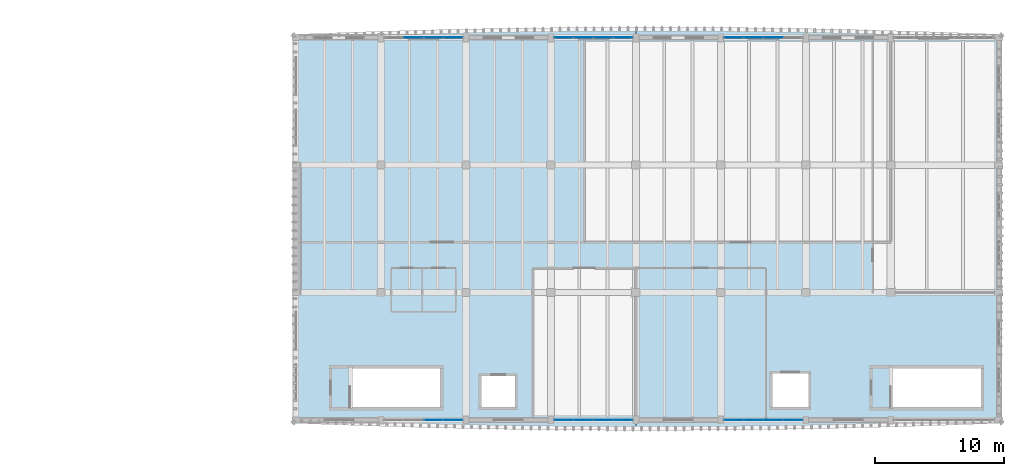
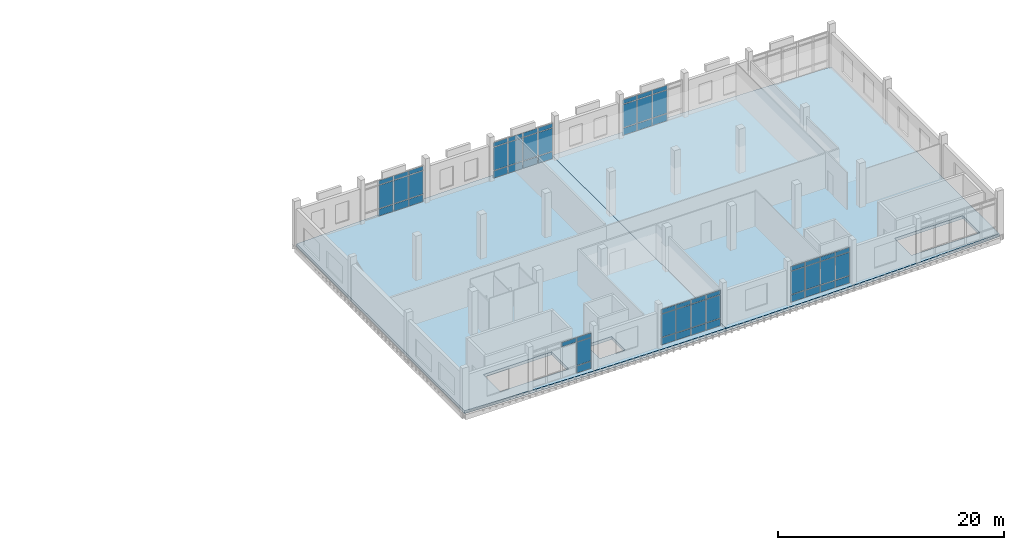
# One storey, part 16 of 37: 58 plates, 2 slabs, 6 elements without a shape of their own.
"""IFC4 building model written with IfcOpenShell, lengths in metres."""

from ifc_helpers import new_model, si_unit, direction, frame, origin, origin_2d, place, context, subcontext, project, spatial, polyline, rectangle, outline, extrude, material, layer, layer_set, type_object, element, aggregate, save


model = new_model("IFC4")

# Units and contexts
model_context = context("Model", 3, precision=1e-05, world=origin(), true_north=direction((0.0, 1.0)))
body_context = subcontext(model_context, "Body", "Model", "MODEL_VIEW")
ifc_project = project(units=[si_unit("LENGTHUNIT", "METRE"), si_unit("AREAUNIT", "SQUARE_METRE"), si_unit("VOLUMEUNIT", "CUBIC_METRE"), si_unit("PLANEANGLEUNIT", "RADIAN"), si_unit("MASSUNIT", "GRAM", prefix="KILO")], contexts=[model_context])

# Site, building, storey
site_placement = place(None, origin())
site = spatial("IfcSite", under=ifc_project, at=site_placement, CompositionType="ELEMENT")
building_placement = place(site_placement, origin())
building = spatial("IfcBuilding", under=site, at=building_placement, Name="Dornvale Research Institute", CompositionType="ELEMENT")
storey_placement = place(building_placement, frame((0.0, 0.0, 29.39990234375)))
storey = spatial("IfcBuildingStorey", under=building, at=storey_placement, Name="L06", CompositionType="ELEMENT", Elevation=29.39990234375)

# Curtain wall, plates
ifc_material_1 = material(Name="Low-E Argon Double Insulating Glazing Unit", Category="glass")
curtain_wall_type = type_object("IfcCurtainWallType", Name="UnitisedCurtainWall_V4_6150x3950", PredefinedType="USERDEFINED", material=ifc_material_1)
curtain_wall_1_placement = place(storey_placement, origin())
curtain_wall_1 = element("IfcCurtainWall", 1, at=curtain_wall_1_placement, inside=storey, type_object=curtain_wall_type, Name="L06 V4 unitised curtain wall CW-15 #117", ObjectType="UNITISED CURTAIN WALL", PredefinedType="USERDEFINED")
ifc_material_2 = material(Name="Insulated Ceramic-Frit Spandrel Glass Panel", Category="glass")
ifc_layer_1 = layer(ifc_material_2, 0.0419921875)
ifc_layer_set_1 = layer_set([ifc_layer_1], Name="Insulated Ceramic-Frit Spandrel Glass Panel")
plate_type_1 = type_object("IfcPlateType", Name="CurtainPanel_Spandrel_42", PredefinedType="CURTAIN_PANEL", material=ifc_layer_set_1)
plate_1_placement = place(storey_placement, frame((127.93115234375, 122.10009765625, 0.065185546875), z_axis=(0.0, 0.0, 1.0), x_axis=(1.0, 0.0, 0.0)))
plate_1 = element("IfcPlate", 2, at=plate_1_placement, type_object=plate_type_1, Name="CW-15 panel 2.1", PredefinedType="CURTAIN_PANEL", context=body_context, shape_type="SweptSolid", body=[
    extrude(rectangle(XDim=1.472412109375, YDim=0.0419921875, at=origin_2d()), origin(), (0.0, 0.0, 1.0), 0.75244140625),
])
plate_2_placement = place(storey_placement, frame((129.46875, 122.10009765625, 0.065185546875), z_axis=(0.0, 0.0, 1.0), x_axis=(1.0, 0.0, 0.0)))
plate_2 = element("IfcPlate", 3, at=plate_2_placement, type_object=plate_type_1, Name="CW-15 panel 3.1", PredefinedType="CURTAIN_PANEL", context=body_context, shape_type="SweptSolid", body=[
    extrude(rectangle(XDim=1.472412109375, YDim=0.0419921875, at=origin_2d()), origin(), (0.0, 0.0, 1.0), 0.75244140625),
])
plate_3_placement = place(storey_placement, frame((130.989990234375, 122.10009765625, 0.065185546875), z_axis=(0.0, 0.0, 1.0), x_axis=(1.0, 0.0, 0.0)))
plate_3 = element("IfcPlate", 4, at=plate_3_placement, type_object=plate_type_1, Name="CW-15 panel 4.1", PredefinedType="CURTAIN_PANEL", context=body_context, shape_type="SweptSolid", body=[
    extrude(rectangle(XDim=1.43994140625, YDim=0.0419921875, at=origin_2d()), origin(), (0.0, 0.0, 1.0), 0.75244140625),
])

curtain_wall_2_placement = place(storey_placement, origin())
curtain_wall_2 = element("IfcCurtainWall", 5, at=curtain_wall_2_placement, inside=storey, type_object=curtain_wall_type, Name="L06 V4 unitised curtain wall CW-15 #118", ObjectType="UNITISED CURTAIN WALL", PredefinedType="USERDEFINED")
plate_4_placement = place(storey_placement, frame((139.610107421875, 122.10009765625, 0.065185546875), z_axis=(0.0, 0.0, 1.0), x_axis=(1.0, 0.0, 0.0)))
plate_4 = element("IfcPlate", 6, at=plate_4_placement, type_object=plate_type_1, Name="CW-15 panel 1.1", PredefinedType="CURTAIN_PANEL", context=body_context, shape_type="SweptSolid", body=[
    extrude(rectangle(XDim=1.43994140625, YDim=0.0419921875, at=origin_2d()), origin(), (0.0, 0.0, 1.0), 0.75244140625),
])
plate_5_placement = place(storey_placement, frame((141.13134765625, 122.10009765625, 0.065185546875), z_axis=(0.0, 0.0, 1.0), x_axis=(1.0, 0.0, 0.0)))
plate_5 = element("IfcPlate", 7, at=plate_5_placement, type_object=plate_type_1, Name="CW-15 panel 2.1", PredefinedType="CURTAIN_PANEL", context=body_context, shape_type="SweptSolid", body=[
    extrude(rectangle(XDim=1.472412109375, YDim=0.0419921875, at=origin_2d()), origin(), (0.0, 0.0, 1.0), 0.75244140625),
])
plate_6_placement = place(storey_placement, frame((142.668701171875, 122.10009765625, 0.065185546875), z_axis=(0.0, 0.0, 1.0), x_axis=(1.0, 0.0, 0.0)))
plate_6 = element("IfcPlate", 8, at=plate_6_placement, type_object=plate_type_1, Name="CW-15 panel 3.1", PredefinedType="CURTAIN_PANEL", context=body_context, shape_type="SweptSolid", body=[
    extrude(rectangle(XDim=1.472412109375, YDim=0.0419921875, at=origin_2d()), origin(), (0.0, 0.0, 1.0), 0.75244140625),
])
plate_7_placement = place(storey_placement, frame((144.18994140625, 122.10009765625, 0.065185546875), z_axis=(0.0, 0.0, 1.0), x_axis=(1.0, 0.0, 0.0)))
plate_7 = element("IfcPlate", 9, at=plate_7_placement, type_object=plate_type_1, Name="CW-15 panel 4.1", PredefinedType="CURTAIN_PANEL", context=body_context, shape_type="SweptSolid", body=[
    extrude(rectangle(XDim=1.43994140625, YDim=0.0419921875, at=origin_2d()), origin(), (0.0, 0.0, 1.0), 0.75244140625),
])

curtain_wall_3_placement = place(storey_placement, origin())
curtain_wall_3 = element("IfcCurtainWall", 10, at=curtain_wall_3_placement, inside=storey, type_object=curtain_wall_type, Name="L06 V4 unitised curtain wall CW-15 #119", ObjectType="UNITISED CURTAIN WALL", PredefinedType="USERDEFINED")
plate_8_placement = place(storey_placement, frame((152.81005859375, 122.10009765625, 0.065185546875), z_axis=(0.0, 0.0, 1.0), x_axis=(1.0, 0.0, 0.0)))
plate_8 = element("IfcPlate", 11, at=plate_8_placement, type_object=plate_type_1, Name="CW-15 panel 1.1", PredefinedType="CURTAIN_PANEL", context=body_context, shape_type="SweptSolid", body=[
    extrude(rectangle(XDim=1.43994140625, YDim=0.0419921875, at=origin_2d()), origin(), (0.0, 0.0, 1.0), 0.75244140625),
])
plate_9_placement = place(storey_placement, frame((154.331298828125, 122.10009765625, 0.065185546875), z_axis=(0.0, 0.0, 1.0), x_axis=(1.0, 0.0, 0.0)))
plate_9 = element("IfcPlate", 12, at=plate_9_placement, type_object=plate_type_1, Name="CW-15 panel 2.1", PredefinedType="CURTAIN_PANEL", context=body_context, shape_type="SweptSolid", body=[
    extrude(rectangle(XDim=1.472412109375, YDim=0.0419921875, at=origin_2d()), origin(), (0.0, 0.0, 1.0), 0.75244140625),
])
plate_10_placement = place(storey_placement, frame((155.86865234375, 122.10009765625, 0.065185546875), z_axis=(0.0, 0.0, 1.0), x_axis=(1.0, 0.0, 0.0)))
plate_10 = element("IfcPlate", 13, at=plate_10_placement, type_object=plate_type_1, Name="CW-15 panel 3.1", PredefinedType="CURTAIN_PANEL", context=body_context, shape_type="SweptSolid", body=[
    extrude(rectangle(XDim=1.472412109375, YDim=0.0419921875, at=origin_2d()), origin(), (0.0, 0.0, 1.0), 0.75244140625),
])

curtain_wall_4_placement = place(storey_placement, origin())
curtain_wall_4 = element("IfcCurtainWall", 14, at=curtain_wall_4_placement, inside=storey, type_object=curtain_wall_type, Name="L06 V4 unitised curtain wall CW-15 #122", ObjectType="UNITISED CURTAIN WALL", PredefinedType="USERDEFINED")
plate_11_placement = place(storey_placement, frame((157.389892578125, 92.39990234375, 0.065185546875), z_axis=(0.0, 0.0, 1.0), x_axis=(-1.0, 0.0, 0.0)))
plate_11 = element("IfcPlate", 15, at=plate_11_placement, type_object=plate_type_1, Name="CW-15 panel 1.1", PredefinedType="CURTAIN_PANEL", context=body_context, shape_type="SweptSolid", body=[
    extrude(rectangle(XDim=1.43994140625, YDim=0.0419921875, at=origin_2d()), origin(), (0.0, 0.0, 1.0), 0.75244140625),
])
plate_12_placement = place(storey_placement, frame((155.86865234375, 92.39990234375, 0.065185546875), z_axis=(0.0, 0.0, 1.0), x_axis=(-1.0, 0.0, 0.0)))
plate_12 = element("IfcPlate", 16, at=plate_12_placement, type_object=plate_type_1, Name="CW-15 panel 2.1", PredefinedType="CURTAIN_PANEL", context=body_context, shape_type="SweptSolid", body=[
    extrude(rectangle(XDim=1.472412109375, YDim=0.0419921875, at=origin_2d()), origin(), (0.0, 0.0, 1.0), 0.75244140625),
])
plate_13_placement = place(storey_placement, frame((154.331298828125, 92.39990234375, 0.065185546875), z_axis=(0.0, 0.0, 1.0), x_axis=(-1.0, 0.0, 0.0)))
plate_13 = element("IfcPlate", 17, at=plate_13_placement, type_object=plate_type_1, Name="CW-15 panel 3.1", PredefinedType="CURTAIN_PANEL", context=body_context, shape_type="SweptSolid", body=[
    extrude(rectangle(XDim=1.472412109375, YDim=0.0419921875, at=origin_2d()), origin(), (0.0, 0.0, 1.0), 0.75244140625),
])
plate_14_placement = place(storey_placement, frame((152.81005859375, 92.39990234375, 0.065185546875), z_axis=(0.0, 0.0, 1.0), x_axis=(-1.0, 0.0, 0.0)))
plate_14 = element("IfcPlate", 18, at=plate_14_placement, type_object=plate_type_1, Name="CW-15 panel 4.1", PredefinedType="CURTAIN_PANEL", context=body_context, shape_type="SweptSolid", body=[
    extrude(rectangle(XDim=1.43994140625, YDim=0.0419921875, at=origin_2d()), origin(), (0.0, 0.0, 1.0), 0.75244140625),
])

curtain_wall_5_placement = place(storey_placement, origin())
curtain_wall_5 = element("IfcCurtainWall", 19, at=curtain_wall_5_placement, inside=storey, type_object=curtain_wall_type, Name="L06 V4 unitised curtain wall CW-15 #123", ObjectType="UNITISED CURTAIN WALL", PredefinedType="USERDEFINED")
plate_15_placement = place(storey_placement, frame((144.18994140625, 92.39990234375, 0.065185546875), z_axis=(0.0, 0.0, 1.0), x_axis=(-1.0, 0.0, 0.0)))
plate_15 = element("IfcPlate", 20, at=plate_15_placement, type_object=plate_type_1, Name="CW-15 panel 1.1", PredefinedType="CURTAIN_PANEL", context=body_context, shape_type="SweptSolid", body=[
    extrude(rectangle(XDim=1.43994140625, YDim=0.0419921875, at=origin_2d()), origin(), (0.0, 0.0, 1.0), 0.75244140625),
])
plate_16_placement = place(storey_placement, frame((142.668701171875, 92.39990234375, 0.065185546875), z_axis=(0.0, 0.0, 1.0), x_axis=(-1.0, 0.0, 0.0)))
plate_16 = element("IfcPlate", 21, at=plate_16_placement, type_object=plate_type_1, Name="CW-15 panel 2.1", PredefinedType="CURTAIN_PANEL", context=body_context, shape_type="SweptSolid", body=[
    extrude(rectangle(XDim=1.472412109375, YDim=0.0419921875, at=origin_2d()), origin(), (0.0, 0.0, 1.0), 0.75244140625),
])
plate_17_placement = place(storey_placement, frame((141.13134765625, 92.39990234375, 0.065185546875), z_axis=(0.0, 0.0, 1.0), x_axis=(-1.0, 0.0, 0.0)))
plate_17 = element("IfcPlate", 22, at=plate_17_placement, type_object=plate_type_1, Name="CW-15 panel 3.1", PredefinedType="CURTAIN_PANEL", context=body_context, shape_type="SweptSolid", body=[
    extrude(rectangle(XDim=1.472412109375, YDim=0.0419921875, at=origin_2d()), origin(), (0.0, 0.0, 1.0), 0.75244140625),
])
plate_18_placement = place(storey_placement, frame((139.610107421875, 92.39990234375, 0.065185546875), z_axis=(0.0, 0.0, 1.0), x_axis=(-1.0, 0.0, 0.0)))
plate_18 = element("IfcPlate", 23, at=plate_18_placement, type_object=plate_type_1, Name="CW-15 panel 4.1", PredefinedType="CURTAIN_PANEL", context=body_context, shape_type="SweptSolid", body=[
    extrude(rectangle(XDim=1.43994140625, YDim=0.0419921875, at=origin_2d()), origin(), (0.0, 0.0, 1.0), 0.75244140625),
])

# Curtain wall, plate
curtain_wall_6_placement = place(storey_placement, origin())
curtain_wall_6 = element("IfcCurtainWall", 24, at=curtain_wall_6_placement, inside=storey, type_object=curtain_wall_type, Name="L06 V4 unitised curtain wall CW-15 #124", ObjectType="UNITISED CURTAIN WALL", PredefinedType="USERDEFINED")
plate_19_placement = place(storey_placement, frame((130.989990234375, 92.39990234375, 0.065185546875), z_axis=(0.0, 0.0, 1.0), x_axis=(-1.0, 0.0, 0.0)))
plate_19 = element("IfcPlate", 25, at=plate_19_placement, type_object=plate_type_1, Name="CW-15 panel 1.1", PredefinedType="CURTAIN_PANEL", context=body_context, shape_type="SweptSolid", body=[
    extrude(rectangle(XDim=1.43994140625, YDim=0.0419921875, at=origin_2d()), origin(), (0.0, 0.0, 1.0), 0.75244140625),
])

# Plate
ifc_material_3 = material(Name="Low-E Argon Double Insulating Glazing Unit", Category="glass")
ifc_layer_2 = layer(ifc_material_3, 0.028076171875)
ifc_layer_set_2 = layer_set([ifc_layer_2], Name="Low-E Argon Double Insulating Glazing Unit")
plate_type_2 = type_object("IfcPlateType", Name="CurtainPanel_Vision_28", PredefinedType="CURTAIN_PANEL", material=ifc_layer_set_2)
plate_20_placement = place(storey_placement, frame((127.93115234375, 122.10009765625, 0.88232421875), z_axis=(0.0, 0.0, 1.0), x_axis=(1.0, 0.0, 0.0)))
plate_20 = element("IfcPlate", 26, at=plate_20_placement, type_object=plate_type_2, Name="CW-15 panel 2.2", PredefinedType="CURTAIN_PANEL", context=body_context, shape_type="SweptSolid", body=[
    extrude(rectangle(XDim=1.472412109375, YDim=0.028076171875, at=origin_2d()), origin(), (0.0, 0.0, 1.0), 2.485107421875),
])

plate_21_placement = place(storey_placement, frame((127.93115234375, 122.10009765625, 3.4326171875), z_axis=(0.0, 0.0, 1.0), x_axis=(1.0, 0.0, 0.0)))
plate_21 = element("IfcPlate", 27, at=plate_21_placement, type_object=plate_type_2, Name="CW-15 panel 2.3", PredefinedType="CURTAIN_PANEL", context=body_context, shape_type="SweptSolid", body=[
    extrude(rectangle(XDim=1.472412109375, YDim=0.028076171875, at=origin_2d()), origin(), (0.0, 0.0, 1.0), 0.452392578125),
])

plate_22_placement = place(storey_placement, frame((129.46875, 122.10009765625, 0.88232421875), z_axis=(0.0, 0.0, 1.0), x_axis=(1.0, 0.0, 0.0)))
plate_22 = element("IfcPlate", 28, at=plate_22_placement, type_object=plate_type_2, Name="CW-15 panel 3.2", PredefinedType="CURTAIN_PANEL", context=body_context, shape_type="SweptSolid", body=[
    extrude(rectangle(XDim=1.472412109375, YDim=0.028076171875, at=origin_2d()), origin(), (0.0, 0.0, 1.0), 2.485107421875),
])

plate_23_placement = place(storey_placement, frame((129.46875, 122.10009765625, 3.4326171875), z_axis=(0.0, 0.0, 1.0), x_axis=(1.0, 0.0, 0.0)))
plate_23 = element("IfcPlate", 29, at=plate_23_placement, type_object=plate_type_2, Name="CW-15 panel 3.3", PredefinedType="CURTAIN_PANEL", context=body_context, shape_type="SweptSolid", body=[
    extrude(rectangle(XDim=1.472412109375, YDim=0.028076171875, at=origin_2d()), origin(), (0.0, 0.0, 1.0), 0.452392578125),
])

plate_24_placement = place(storey_placement, frame((130.989990234375, 122.10009765625, 0.88232421875), z_axis=(0.0, 0.0, 1.0), x_axis=(1.0, 0.0, 0.0)))
plate_24 = element("IfcPlate", 30, at=plate_24_placement, type_object=plate_type_2, Name="CW-15 panel 4.2", PredefinedType="CURTAIN_PANEL", context=body_context, shape_type="SweptSolid", body=[
    extrude(rectangle(XDim=1.43994140625, YDim=0.028076171875, at=origin_2d()), origin(), (0.0, 0.0, 1.0), 2.485107421875),
])

plate_25_placement = place(storey_placement, frame((130.989990234375, 122.10009765625, 3.4326171875), z_axis=(0.0, 0.0, 1.0), x_axis=(1.0, 0.0, 0.0)))
plate_25 = element("IfcPlate", 31, at=plate_25_placement, type_object=plate_type_2, Name="CW-15 panel 4.3", PredefinedType="CURTAIN_PANEL", context=body_context, shape_type="SweptSolid", body=[
    extrude(rectangle(XDim=1.43994140625, YDim=0.028076171875, at=origin_2d()), origin(), (0.0, 0.0, 1.0), 0.452392578125),
])

aggregate(curtain_wall_1, [plate_1, plate_20, plate_21, plate_2, plate_22, plate_23, plate_3, plate_24, plate_25])

plate_26_placement = place(storey_placement, frame((139.610107421875, 122.10009765625, 0.88232421875), z_axis=(0.0, 0.0, 1.0), x_axis=(1.0, 0.0, 0.0)))
plate_26 = element("IfcPlate", 32, at=plate_26_placement, type_object=plate_type_2, Name="CW-15 panel 1.2", PredefinedType="CURTAIN_PANEL", context=body_context, shape_type="SweptSolid", body=[
    extrude(rectangle(XDim=1.43994140625, YDim=0.028076171875, at=origin_2d()), origin(), (0.0, 0.0, 1.0), 2.485107421875),
])

plate_27_placement = place(storey_placement, frame((139.610107421875, 122.10009765625, 3.4326171875), z_axis=(0.0, 0.0, 1.0), x_axis=(1.0, 0.0, 0.0)))
plate_27 = element("IfcPlate", 33, at=plate_27_placement, type_object=plate_type_2, Name="CW-15 panel 1.3", PredefinedType="CURTAIN_PANEL", context=body_context, shape_type="SweptSolid", body=[
    extrude(rectangle(XDim=1.43994140625, YDim=0.028076171875, at=origin_2d()), origin(), (0.0, 0.0, 1.0), 0.452392578125),
])

plate_28_placement = place(storey_placement, frame((141.13134765625, 122.10009765625, 0.88232421875), z_axis=(0.0, 0.0, 1.0), x_axis=(1.0, 0.0, 0.0)))
plate_28 = element("IfcPlate", 34, at=plate_28_placement, type_object=plate_type_2, Name="CW-15 panel 2.2", PredefinedType="CURTAIN_PANEL", context=body_context, shape_type="SweptSolid", body=[
    extrude(rectangle(XDim=1.472412109375, YDim=0.028076171875, at=origin_2d()), origin(), (0.0, 0.0, 1.0), 2.485107421875),
])

plate_29_placement = place(storey_placement, frame((141.13134765625, 122.10009765625, 3.4326171875), z_axis=(0.0, 0.0, 1.0), x_axis=(1.0, 0.0, 0.0)))
plate_29 = element("IfcPlate", 35, at=plate_29_placement, type_object=plate_type_2, Name="CW-15 panel 2.3", PredefinedType="CURTAIN_PANEL", context=body_context, shape_type="SweptSolid", body=[
    extrude(rectangle(XDim=1.472412109375, YDim=0.028076171875, at=origin_2d()), origin(), (0.0, 0.0, 1.0), 0.452392578125),
])

plate_30_placement = place(storey_placement, frame((142.668701171875, 122.10009765625, 0.88232421875), z_axis=(0.0, 0.0, 1.0), x_axis=(1.0, 0.0, 0.0)))
plate_30 = element("IfcPlate", 36, at=plate_30_placement, type_object=plate_type_2, Name="CW-15 panel 3.2", PredefinedType="CURTAIN_PANEL", context=body_context, shape_type="SweptSolid", body=[
    extrude(rectangle(XDim=1.472412109375, YDim=0.028076171875, at=origin_2d()), origin(), (0.0, 0.0, 1.0), 2.485107421875),
])

plate_31_placement = place(storey_placement, frame((142.668701171875, 122.10009765625, 3.4326171875), z_axis=(0.0, 0.0, 1.0), x_axis=(1.0, 0.0, 0.0)))
plate_31 = element("IfcPlate", 37, at=plate_31_placement, type_object=plate_type_2, Name="CW-15 panel 3.3", PredefinedType="CURTAIN_PANEL", context=body_context, shape_type="SweptSolid", body=[
    extrude(rectangle(XDim=1.472412109375, YDim=0.028076171875, at=origin_2d()), origin(), (0.0, 0.0, 1.0), 0.452392578125),
])

plate_32_placement = place(storey_placement, frame((144.18994140625, 122.10009765625, 0.88232421875), z_axis=(0.0, 0.0, 1.0), x_axis=(1.0, 0.0, 0.0)))
plate_32 = element("IfcPlate", 38, at=plate_32_placement, type_object=plate_type_2, Name="CW-15 panel 4.2", PredefinedType="CURTAIN_PANEL", context=body_context, shape_type="SweptSolid", body=[
    extrude(rectangle(XDim=1.43994140625, YDim=0.028076171875, at=origin_2d()), origin(), (0.0, 0.0, 1.0), 2.485107421875),
])

plate_33_placement = place(storey_placement, frame((144.18994140625, 122.10009765625, 3.4326171875), z_axis=(0.0, 0.0, 1.0), x_axis=(1.0, 0.0, 0.0)))
plate_33 = element("IfcPlate", 39, at=plate_33_placement, type_object=plate_type_2, Name="CW-15 panel 4.3", PredefinedType="CURTAIN_PANEL", context=body_context, shape_type="SweptSolid", body=[
    extrude(rectangle(XDim=1.43994140625, YDim=0.028076171875, at=origin_2d()), origin(), (0.0, 0.0, 1.0), 0.452392578125),
])

aggregate(curtain_wall_2, [plate_4, plate_26, plate_27, plate_5, plate_28, plate_29, plate_6, plate_30, plate_31, plate_7, plate_32, plate_33])

plate_34_placement = place(storey_placement, frame((152.81005859375, 122.10009765625, 0.88232421875), z_axis=(0.0, 0.0, 1.0), x_axis=(1.0, 0.0, 0.0)))
plate_34 = element("IfcPlate", 40, at=plate_34_placement, type_object=plate_type_2, Name="CW-15 panel 1.2", PredefinedType="CURTAIN_PANEL", context=body_context, shape_type="SweptSolid", body=[
    extrude(rectangle(XDim=1.43994140625, YDim=0.028076171875, at=origin_2d()), origin(), (0.0, 0.0, 1.0), 2.485107421875),
])

plate_35_placement = place(storey_placement, frame((152.81005859375, 122.10009765625, 3.4326171875), z_axis=(0.0, 0.0, 1.0), x_axis=(1.0, 0.0, 0.0)))
plate_35 = element("IfcPlate", 41, at=plate_35_placement, type_object=plate_type_2, Name="CW-15 panel 1.3", PredefinedType="CURTAIN_PANEL", context=body_context, shape_type="SweptSolid", body=[
    extrude(rectangle(XDim=1.43994140625, YDim=0.028076171875, at=origin_2d()), origin(), (0.0, 0.0, 1.0), 0.452392578125),
])

plate_36_placement = place(storey_placement, frame((154.331298828125, 122.10009765625, 0.88232421875), z_axis=(0.0, 0.0, 1.0), x_axis=(1.0, 0.0, 0.0)))
plate_36 = element("IfcPlate", 42, at=plate_36_placement, type_object=plate_type_2, Name="CW-15 panel 2.2", PredefinedType="CURTAIN_PANEL", context=body_context, shape_type="SweptSolid", body=[
    extrude(rectangle(XDim=1.472412109375, YDim=0.028076171875, at=origin_2d()), origin(), (0.0, 0.0, 1.0), 2.485107421875),
])

plate_37_placement = place(storey_placement, frame((154.331298828125, 122.10009765625, 3.4326171875), z_axis=(0.0, 0.0, 1.0), x_axis=(1.0, 0.0, 0.0)))
plate_37 = element("IfcPlate", 43, at=plate_37_placement, type_object=plate_type_2, Name="CW-15 panel 2.3", PredefinedType="CURTAIN_PANEL", context=body_context, shape_type="SweptSolid", body=[
    extrude(rectangle(XDim=1.472412109375, YDim=0.028076171875, at=origin_2d()), origin(), (0.0, 0.0, 1.0), 0.452392578125),
])

plate_38_placement = place(storey_placement, frame((155.86865234375, 122.10009765625, 0.88232421875), z_axis=(0.0, 0.0, 1.0), x_axis=(1.0, 0.0, 0.0)))
plate_38 = element("IfcPlate", 44, at=plate_38_placement, type_object=plate_type_2, Name="CW-15 panel 3.2", PredefinedType="CURTAIN_PANEL", context=body_context, shape_type="SweptSolid", body=[
    extrude(rectangle(XDim=1.472412109375, YDim=0.028076171875, at=origin_2d()), origin(), (0.0, 0.0, 1.0), 2.485107421875),
])

plate_39_placement = place(storey_placement, frame((155.86865234375, 122.10009765625, 3.4326171875), z_axis=(0.0, 0.0, 1.0), x_axis=(1.0, 0.0, 0.0)))
plate_39 = element("IfcPlate", 45, at=plate_39_placement, type_object=plate_type_2, Name="CW-15 panel 3.3", PredefinedType="CURTAIN_PANEL", context=body_context, shape_type="SweptSolid", body=[
    extrude(rectangle(XDim=1.472412109375, YDim=0.028076171875, at=origin_2d()), origin(), (0.0, 0.0, 1.0), 0.452392578125),
])

aggregate(curtain_wall_3, [plate_8, plate_34, plate_35, plate_9, plate_36, plate_37, plate_10, plate_38, plate_39])

plate_40_placement = place(storey_placement, frame((157.389892578125, 92.39990234375, 0.88232421875), z_axis=(0.0, 0.0, 1.0), x_axis=(-1.0, 0.0, 0.0)))
plate_40 = element("IfcPlate", 46, at=plate_40_placement, type_object=plate_type_2, Name="CW-15 panel 1.2", PredefinedType="CURTAIN_PANEL", context=body_context, shape_type="SweptSolid", body=[
    extrude(rectangle(XDim=1.43994140625, YDim=0.028076171875, at=origin_2d()), origin(), (0.0, 0.0, 1.0), 2.485107421875),
])

plate_41_placement = place(storey_placement, frame((157.389892578125, 92.39990234375, 3.4326171875), z_axis=(0.0, 0.0, 1.0), x_axis=(-1.0, 0.0, 0.0)))
plate_41 = element("IfcPlate", 47, at=plate_41_placement, type_object=plate_type_2, Name="CW-15 panel 1.3", PredefinedType="CURTAIN_PANEL", context=body_context, shape_type="SweptSolid", body=[
    extrude(rectangle(XDim=1.43994140625, YDim=0.028076171875, at=origin_2d()), origin(), (0.0, 0.0, 1.0), 0.452392578125),
])

plate_42_placement = place(storey_placement, frame((155.86865234375, 92.39990234375, 0.88232421875), z_axis=(0.0, 0.0, 1.0), x_axis=(-1.0, 0.0, 0.0)))
plate_42 = element("IfcPlate", 48, at=plate_42_placement, type_object=plate_type_2, Name="CW-15 panel 2.2", PredefinedType="CURTAIN_PANEL", context=body_context, shape_type="SweptSolid", body=[
    extrude(rectangle(XDim=1.472412109375, YDim=0.028076171875, at=origin_2d()), origin(), (0.0, 0.0, 1.0), 2.485107421875),
])

plate_43_placement = place(storey_placement, frame((155.86865234375, 92.39990234375, 3.4326171875), z_axis=(0.0, 0.0, 1.0), x_axis=(-1.0, 0.0, 0.0)))
plate_43 = element("IfcPlate", 49, at=plate_43_placement, type_object=plate_type_2, Name="CW-15 panel 2.3", PredefinedType="CURTAIN_PANEL", context=body_context, shape_type="SweptSolid", body=[
    extrude(rectangle(XDim=1.472412109375, YDim=0.028076171875, at=origin_2d()), origin(), (0.0, 0.0, 1.0), 0.452392578125),
])

plate_44_placement = place(storey_placement, frame((154.331298828125, 92.39990234375, 0.88232421875), z_axis=(0.0, 0.0, 1.0), x_axis=(-1.0, 0.0, 0.0)))
plate_44 = element("IfcPlate", 50, at=plate_44_placement, type_object=plate_type_2, Name="CW-15 panel 3.2", PredefinedType="CURTAIN_PANEL", context=body_context, shape_type="SweptSolid", body=[
    extrude(rectangle(XDim=1.472412109375, YDim=0.028076171875, at=origin_2d()), origin(), (0.0, 0.0, 1.0), 2.485107421875),
])

plate_45_placement = place(storey_placement, frame((154.331298828125, 92.39990234375, 3.4326171875), z_axis=(0.0, 0.0, 1.0), x_axis=(-1.0, 0.0, 0.0)))
plate_45 = element("IfcPlate", 51, at=plate_45_placement, type_object=plate_type_2, Name="CW-15 panel 3.3", PredefinedType="CURTAIN_PANEL", context=body_context, shape_type="SweptSolid", body=[
    extrude(rectangle(XDim=1.472412109375, YDim=0.028076171875, at=origin_2d()), origin(), (0.0, 0.0, 1.0), 0.452392578125),
])

plate_46_placement = place(storey_placement, frame((152.81005859375, 92.39990234375, 0.88232421875), z_axis=(0.0, 0.0, 1.0), x_axis=(-1.0, 0.0, 0.0)))
plate_46 = element("IfcPlate", 52, at=plate_46_placement, type_object=plate_type_2, Name="CW-15 panel 4.2", PredefinedType="CURTAIN_PANEL", context=body_context, shape_type="SweptSolid", body=[
    extrude(rectangle(XDim=1.43994140625, YDim=0.028076171875, at=origin_2d()), origin(), (0.0, 0.0, 1.0), 2.485107421875),
])

plate_47_placement = place(storey_placement, frame((152.81005859375, 92.39990234375, 3.4326171875), z_axis=(0.0, 0.0, 1.0), x_axis=(-1.0, 0.0, 0.0)))
plate_47 = element("IfcPlate", 53, at=plate_47_placement, type_object=plate_type_2, Name="CW-15 panel 4.3", PredefinedType="CURTAIN_PANEL", context=body_context, shape_type="SweptSolid", body=[
    extrude(rectangle(XDim=1.43994140625, YDim=0.028076171875, at=origin_2d()), origin(), (0.0, 0.0, 1.0), 0.452392578125),
])

aggregate(curtain_wall_4, [plate_11, plate_40, plate_41, plate_12, plate_42, plate_43, plate_13, plate_44, plate_45, plate_14, plate_46, plate_47])

plate_48_placement = place(storey_placement, frame((144.18994140625, 92.39990234375, 0.88232421875), z_axis=(0.0, 0.0, 1.0), x_axis=(-1.0, 0.0, 0.0)))
plate_48 = element("IfcPlate", 54, at=plate_48_placement, type_object=plate_type_2, Name="CW-15 panel 1.2", PredefinedType="CURTAIN_PANEL", context=body_context, shape_type="SweptSolid", body=[
    extrude(rectangle(XDim=1.43994140625, YDim=0.028076171875, at=origin_2d()), origin(), (0.0, 0.0, 1.0), 2.485107421875),
])

plate_49_placement = place(storey_placement, frame((144.18994140625, 92.39990234375, 3.4326171875), z_axis=(0.0, 0.0, 1.0), x_axis=(-1.0, 0.0, 0.0)))
plate_49 = element("IfcPlate", 55, at=plate_49_placement, type_object=plate_type_2, Name="CW-15 panel 1.3", PredefinedType="CURTAIN_PANEL", context=body_context, shape_type="SweptSolid", body=[
    extrude(rectangle(XDim=1.43994140625, YDim=0.028076171875, at=origin_2d()), origin(), (0.0, 0.0, 1.0), 0.452392578125),
])

plate_50_placement = place(storey_placement, frame((142.668701171875, 92.39990234375, 0.88232421875), z_axis=(0.0, 0.0, 1.0), x_axis=(-1.0, 0.0, 0.0)))
plate_50 = element("IfcPlate", 56, at=plate_50_placement, type_object=plate_type_2, Name="CW-15 panel 2.2", PredefinedType="CURTAIN_PANEL", context=body_context, shape_type="SweptSolid", body=[
    extrude(rectangle(XDim=1.472412109375, YDim=0.028076171875, at=origin_2d()), origin(), (0.0, 0.0, 1.0), 2.485107421875),
])

plate_51_placement = place(storey_placement, frame((142.668701171875, 92.39990234375, 3.4326171875), z_axis=(0.0, 0.0, 1.0), x_axis=(-1.0, 0.0, 0.0)))
plate_51 = element("IfcPlate", 57, at=plate_51_placement, type_object=plate_type_2, Name="CW-15 panel 2.3", PredefinedType="CURTAIN_PANEL", context=body_context, shape_type="SweptSolid", body=[
    extrude(rectangle(XDim=1.472412109375, YDim=0.028076171875, at=origin_2d()), origin(), (0.0, 0.0, 1.0), 0.452392578125),
])

plate_52_placement = place(storey_placement, frame((141.13134765625, 92.39990234375, 0.88232421875), z_axis=(0.0, 0.0, 1.0), x_axis=(-1.0, 0.0, 0.0)))
plate_52 = element("IfcPlate", 58, at=plate_52_placement, type_object=plate_type_2, Name="CW-15 panel 3.2", PredefinedType="CURTAIN_PANEL", context=body_context, shape_type="SweptSolid", body=[
    extrude(rectangle(XDim=1.472412109375, YDim=0.028076171875, at=origin_2d()), origin(), (0.0, 0.0, 1.0), 2.485107421875),
])

plate_53_placement = place(storey_placement, frame((141.13134765625, 92.39990234375, 3.4326171875), z_axis=(0.0, 0.0, 1.0), x_axis=(-1.0, 0.0, 0.0)))
plate_53 = element("IfcPlate", 59, at=plate_53_placement, type_object=plate_type_2, Name="CW-15 panel 3.3", PredefinedType="CURTAIN_PANEL", context=body_context, shape_type="SweptSolid", body=[
    extrude(rectangle(XDim=1.472412109375, YDim=0.028076171875, at=origin_2d()), origin(), (0.0, 0.0, 1.0), 0.452392578125),
])

plate_54_placement = place(storey_placement, frame((139.610107421875, 92.39990234375, 0.88232421875), z_axis=(0.0, 0.0, 1.0), x_axis=(-1.0, 0.0, 0.0)))
plate_54 = element("IfcPlate", 60, at=plate_54_placement, type_object=plate_type_2, Name="CW-15 panel 4.2", PredefinedType="CURTAIN_PANEL", context=body_context, shape_type="SweptSolid", body=[
    extrude(rectangle(XDim=1.43994140625, YDim=0.028076171875, at=origin_2d()), origin(), (0.0, 0.0, 1.0), 2.485107421875),
])

plate_55_placement = place(storey_placement, frame((139.610107421875, 92.39990234375, 3.4326171875), z_axis=(0.0, 0.0, 1.0), x_axis=(-1.0, 0.0, 0.0)))
plate_55 = element("IfcPlate", 61, at=plate_55_placement, type_object=plate_type_2, Name="CW-15 panel 4.3", PredefinedType="CURTAIN_PANEL", context=body_context, shape_type="SweptSolid", body=[
    extrude(rectangle(XDim=1.43994140625, YDim=0.028076171875, at=origin_2d()), origin(), (0.0, 0.0, 1.0), 0.452392578125),
])

aggregate(curtain_wall_5, [plate_15, plate_48, plate_49, plate_16, plate_50, plate_51, plate_17, plate_52, plate_53, plate_18, plate_54, plate_55])

plate_56_placement = place(storey_placement, frame((130.989990234375, 92.39990234375, 0.88232421875), z_axis=(0.0, 0.0, 1.0), x_axis=(-1.0, 0.0, 0.0)))
plate_56 = element("IfcPlate", 62, at=plate_56_placement, type_object=plate_type_2, Name="CW-15 panel 1.2", PredefinedType="CURTAIN_PANEL", context=body_context, shape_type="SweptSolid", body=[
    extrude(rectangle(XDim=1.43994140625, YDim=0.028076171875, at=origin_2d()), origin(), (0.0, 0.0, 1.0), 2.485107421875),
])

plate_57_placement = place(storey_placement, frame((130.989990234375, 92.39990234375, 3.4326171875), z_axis=(0.0, 0.0, 1.0), x_axis=(-1.0, 0.0, 0.0)))
plate_57 = element("IfcPlate", 63, at=plate_57_placement, type_object=plate_type_2, Name="CW-15 panel 1.3", PredefinedType="CURTAIN_PANEL", context=body_context, shape_type="SweptSolid", body=[
    extrude(rectangle(XDim=1.43994140625, YDim=0.028076171875, at=origin_2d()), origin(), (0.0, 0.0, 1.0), 0.452392578125),
])

plate_58_placement = place(storey_placement, frame((129.46875, 92.39990234375, 3.4326171875), z_axis=(0.0, 0.0, 1.0), x_axis=(-1.0, 0.0, 0.0)))
plate_58 = element("IfcPlate", 64, at=plate_58_placement, type_object=plate_type_2, Name="CW-15 panel 2.3", PredefinedType="CURTAIN_PANEL", context=body_context, shape_type="SweptSolid", body=[
    extrude(rectangle(XDim=1.472412109375, YDim=0.028076171875, at=origin_2d()), origin(), (0.0, 0.0, 1.0), 0.452392578125),
])

aggregate(curtain_wall_6, [plate_19, plate_56, plate_57, plate_58])

# Slabs
ifc_material_4 = material(Name="Concrete f'c 45 MPa (C35/45)", Category="concrete")
ifc_layer_3 = layer(ifc_material_4, 0.320068359375)
ifc_layer_set_3 = layer_set([ifc_layer_3], Name="Concrete f'c 45 MPa (C35/45)")
slab_type = type_object("IfcSlabType", Name="FloorSlab_Lab_320", PredefinedType="FLOOR", material=ifc_layer_set_3)
slab_1_placement = place(storey_placement, frame((0.0, 0.0, -0.31982421875)))
element("IfcSlab", 65, at=slab_1_placement, inside=storey, type_object=slab_type, Name="L06 V4 W floor slab", PredefinedType="FLOOR", context=body_context, shape_type="SweptSolid", body=[
    extrude(outline(polyline([(143.6181640625, 91.8544921875), (141.963623046875, 91.862548828125), (140.30908203125, 91.874755859375), (138.654541015625, 91.890869140625), (137.0, 91.9111328125), (135.345458984375, 91.935302734375), (133.69091796875, 91.963623046875), (132.036376953125, 91.99609375), (130.3818359375, 92.0322265625), (128.727294921875, 92.07275390625), (127.07275390625, 92.1171875), (125.418212890625, 92.165771484375), (123.763671875, 92.21826171875), (122.109130859375, 92.274658203125), (120.45458984375, 92.33544921875), (118.800048828125, 92.39990234375), (118.800048828125, 122.10009765625), (120.45458984375, 122.16455078125), (122.109130859375, 122.225341796875), (123.763671875, 122.28173828125), (125.418212890625, 122.334228515625), (127.07275390625, 122.3828125), (128.727294921875, 122.42724609375), (130.3818359375, 122.4677734375), (132.036376953125, 122.50390625), (133.69091796875, 122.536376953125), (135.345458984375, 122.564697265625), (137.0, 122.5888671875), (138.654541015625, 122.609130859375), (140.30908203125, 122.625244140625), (141.963623046875, 122.637451171875), (143.6181640625, 122.6455078125), (145.199951171875, 122.6494140625), (145.199951171875, 91.8505859375), (143.6181640625, 91.8544921875)]), holes=[polyline([(123.02001953125, 93.39990234375), (130.0, 93.39990234375), (130.0, 96.39990234375), (123.02001953125, 96.39990234375), (123.02001953125, 93.39990234375)]), polyline([(133.199951171875, 93.39990234375), (135.800048828125, 93.39990234375), (135.800048828125, 95.800048828125), (133.199951171875, 95.800048828125), (133.199951171875, 93.39990234375)])]), origin(), (0.0, 0.0, 1.0), 0.31982421875),
])
slab_2_placement = place(storey_placement, frame((0.0, 0.0, -0.31982421875)))
element("IfcSlab", 66, at=slab_2_placement, inside=storey, type_object=slab_type, Name="L06 V4 E floor slab", PredefinedType="FLOOR", context=body_context, shape_type="SweptSolid", body=[
    extrude(outline(polyline([(145.272705078125, 122.6494140625), (146.92724609375, 122.6494140625), (148.581787109375, 122.6455078125), (150.236328125, 122.637451171875), (151.890869140625, 122.625244140625), (153.54541015625, 122.609130859375), (155.199951171875, 122.5888671875), (156.8544921875, 122.564697265625), (158.509033203125, 122.536376953125), (160.16357421875, 122.50390625), (161.818115234375, 122.4677734375), (163.47265625, 122.42724609375), (165.127197265625, 122.3828125), (166.78173828125, 122.334228515625), (168.436279296875, 122.28173828125), (170.0908203125, 122.225341796875), (171.74560546875, 122.16455078125), (173.39990234375, 122.10009765625), (173.39990234375, 92.39990234375), (171.74560546875, 92.33544921875), (170.0908203125, 92.274658203125), (168.436279296875, 92.21826171875), (166.78173828125, 92.165771484375), (165.127197265625, 92.1171875), (163.47265625, 92.07275390625), (161.818115234375, 92.0322265625), (160.16357421875, 91.99609375), (158.509033203125, 91.963623046875), (156.8544921875, 91.935302734375), (155.199951171875, 91.9111328125), (153.54541015625, 91.890869140625), (151.890869140625, 91.874755859375), (150.236328125, 91.862548828125), (148.581787109375, 91.8544921875), (146.92724609375, 91.8505859375), (145.272705078125, 91.8505859375), (145.199951171875, 91.8505859375), (145.199951171875, 122.6494140625), (145.272705078125, 122.6494140625)]), holes=[polyline([(165.02001953125, 93.39990234375), (172.0, 93.39990234375), (172.0, 96.39990234375), (165.02001953125, 96.39990234375), (165.02001953125, 93.39990234375)]), polyline([(155.800048828125, 93.39990234375), (158.60009765625, 93.39990234375), (158.60009765625, 96.0), (155.800048828125, 96.0), (155.800048828125, 93.39990234375)])]), origin(), (0.0, 0.0, 1.0), 0.31982421875),
])

save(model, "model.ifc")
